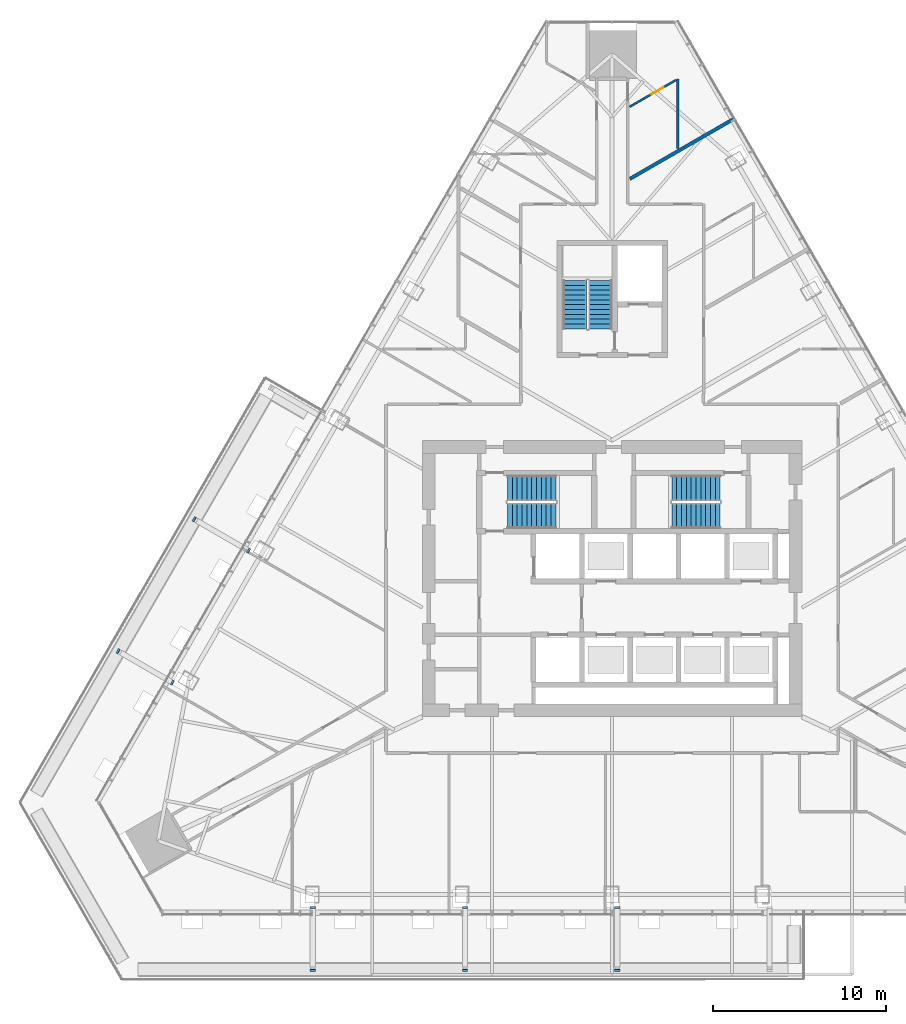
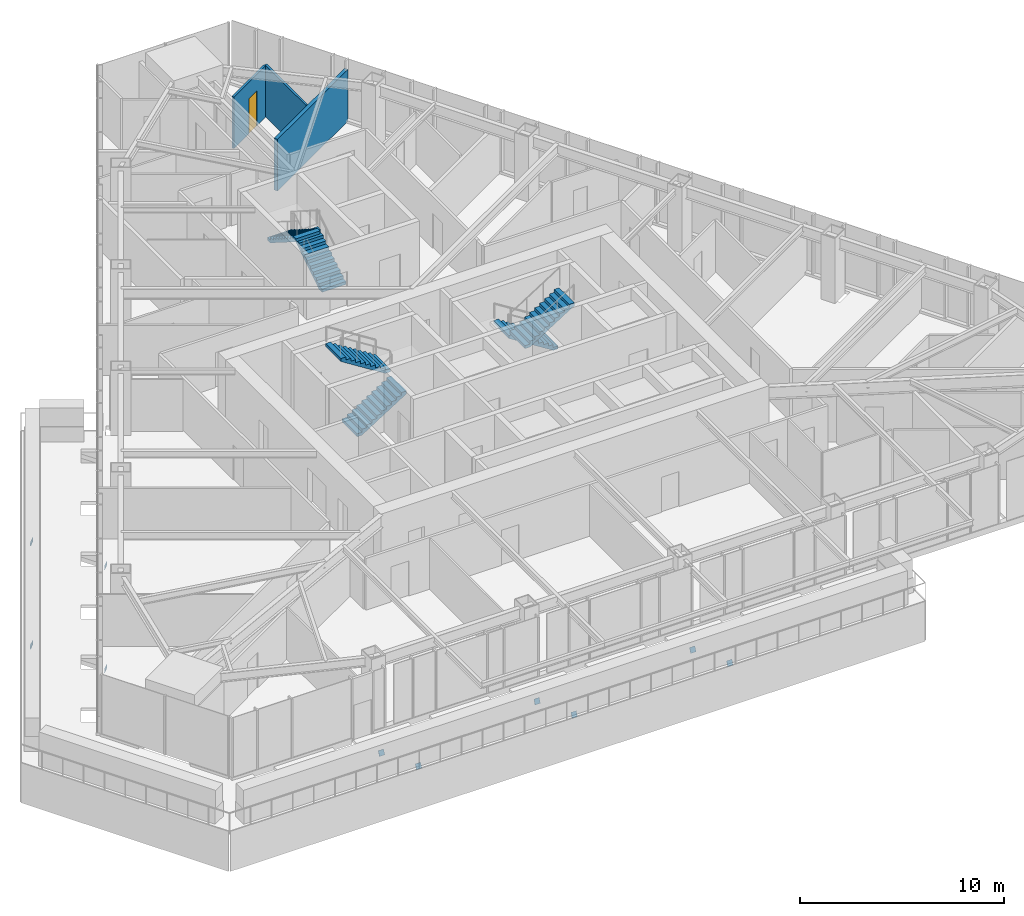
# One storey, part 19 of 23: 10 discrete accessories, 6 stair flights, 3 walls, 1 door, 1 opening, 3 elements without a shape of their own.
"""IFC4 building model written with IfcOpenShell, lengths in metres."""

from ifc_helpers import new_model, si_unit, direction, frame, frame_2d, origin, place, context, subcontext, project, spatial, polyline, rectangle, outline, extrude, material, layer, layer_set, type_object, element, fill, aggregate, save


model = new_model("IFC4")

# Units and contexts
model_context = context("Model", 3, precision=1e-05, world=origin(), true_north=direction((0.0, 1.0)))
body_context = subcontext(model_context, "Body", "Model", "MODEL_VIEW")
ifc_project = project(units=[si_unit("LENGTHUNIT", "METRE"), si_unit("AREAUNIT", "SQUARE_METRE"), si_unit("VOLUMEUNIT", "CUBIC_METRE"), si_unit("PLANEANGLEUNIT", "RADIAN"), si_unit("MASSUNIT", "GRAM", prefix="KILO")], contexts=[model_context])

# Site, building, storey
site_placement = place(None, origin())
site = spatial("IfcSite", under=ifc_project, at=site_placement, CompositionType="ELEMENT")
building_placement = place(site_placement, origin())
building = spatial("IfcBuilding", under=site, at=building_placement, Name="Firuza Gate Tower and Library", CompositionType="ELEMENT")
storey_placement = place(building_placement, frame((0.0, 0.0, 190.89990234375)))
storey = spatial("IfcBuildingStorey", under=building, at=storey_placement, Name="L44", CompositionType="ELEMENT", Elevation=190.89990234375)

# Wall
ifc_material_1 = material(Name="Gypsum board partition")
ifc_layer_1 = layer(ifc_material_1, 0.199951171875)
ifc_layer_set_1 = layer_set([ifc_layer_1], Name="Demising wall 200 acoustic double stud")
wall_type_1 = type_object("IfcWallType", Name="Demising wall 200 acoustic double stud", PredefinedType="PARTITIONING", material=ifc_layer_set_1)
wall_1_placement = place(storey_placement, frame((76.02685546875, 98.159423828125, 0.0), z_axis=(0.0, 0.0, 1.0), x_axis=(0.866026061359, 0.499998861046, 0.0)))
element("IfcWall", 1, at=wall_1_placement, inside=storey, type_object=wall_type_1, Name="f:L44:w026", PredefinedType="PARTITIONING", context=body_context, shape_type="SweptSolid", body=[
    extrude(rectangle(XDim=6.93212890625, YDim=0.199951171875, at=frame_2d((3.466064453125, 0.0))), origin(), (0.0, 0.0, 1.0), 3.10009765625),
])

# Wall, opening, door
ifc_material_2 = material(Name="Gypsum board partition")
ifc_layer_2 = layer(ifc_material_2, 0.1201171875)
ifc_layer_set_2 = layer_set([ifc_layer_2], Name="Wet-area partition 120 moisture-resistant board")
wall_type_2 = type_object("IfcWallType", Name="Wet-area partition 120 moisture-resistant board", PredefinedType="PARTITIONING", material=ifc_layer_set_2)
wall_2_placement = place(storey_placement, frame((78.70556640625, 103.890380859375, 0.0), z_axis=(0.0, 0.0, 1.0), x_axis=(-0.866028856698, -0.499994019331, 0.0)))
wall_2 = element("IfcWall", 2, at=wall_2_placement, inside=storey, type_object=wall_type_2, Name="f:L44:w027", PredefinedType="PARTITIONING", context=body_context, shape_type="SweptSolid", body=[
    extrude(rectangle(XDim=3.11279296875, YDim=0.1201171875, at=frame_2d((1.556396484375, 0.0))), origin(), (0.0, 0.0, 1.0), 3.10009765625),
])
opening_placement = place(wall_2_placement, frame((0.8564453125, 0.0, 0.0)))
opening = element("IfcOpeningElement", 3, at=opening_placement, cuts=wall_2, Name="Opening L44-19", PredefinedType="OPENING", context=body_context, shape_type="SweptSolid", body=[
    extrude(rectangle(XDim=0.800048828125, YDim=2.10009765625, at=frame_2d((0.39990234375, 1.050048828125))), frame((0.0, 0.070068359375, 0.0), z_axis=(0.0, -1.0, 0.0), x_axis=(1.0, 0.0, 0.0)), (0.0, 0.0, 1.0), 0.14013671875),
])
ifc_material_3 = material(Name="Timber door", Category="wood")
door_type = type_object("IfcDoorType", Name="Door 800 x 2100 timber leaf", OperationType="NOTDEFINED", PredefinedType="DOOR", material=ifc_material_3)
door_placement = place(opening_placement, origin())
door = element("IfcDoor", 4, at=door_placement, inside=storey, type_object=door_type, Name="f:L44:d019", OperationType="SINGLE_SWING_LEFT", OverallHeight=2.10009765625, OverallWidth=0.800048828125, PredefinedType="DOOR", context=body_context, shape_type="SweptSolid", body=[
    extrude(rectangle(XDim=0.800048828125, YDim=2.10009765625, at=frame_2d((0.39990234375, 1.050048828125))), frame((0.0, 0.02490234375, 0.0), z_axis=(0.0, -1.0, 0.0), x_axis=(1.0, 0.0, 0.0)), (0.0, 0.0, 1.0), 0.050048828125),
])
fill(opening, door)

# Wall
wall_3_placement = place(storey_placement, frame((78.800048828125, 99.915771484375, 0.0), z_axis=(0.0, 0.0, 1.0), x_axis=(0.0, 1.0, 0.0)))
element("IfcWall", 5, at=wall_3_placement, inside=storey, type_object=wall_type_2, Name="f:L44:w044", PredefinedType="PARTITIONING", context=body_context, shape_type="SweptSolid", body=[
    extrude(rectangle(XDim=4.02978515625, YDim=0.1201171875, at=frame_2d((2.014892578125, 0.0))), origin(), (0.0, 0.0, 1.0), 3.10009765625),
])

# Stair, stair flights
ifc_material_4 = material(Name="Concrete C35/45", Category="concrete")
stair_type_1 = type_object("IfcStairType", Name="Exit stair ST16", PredefinedType="HALF_TURN_STAIR", material=ifc_material_4)
placement = place(storey_placement, origin())
stair_1 = element("IfcStair", 6, at=placement, inside=storey, type_object=stair_type_1, Name="L44 Stair ST3", PredefinedType="HALF_TURN_STAIR")
ifc_material_5 = material(Name="Concrete C35/45", Category="concrete")
stair_flight_type_1 = type_object("IfcStairFlightType", Name="Stair flight 11 risers 177.3 width 1370", PredefinedType="STRAIGHT", material=ifc_material_5)
stair_flight_1_placement = place(storey_placement, frame((74.31494140625, 89.469970703125, 0.0), z_axis=(0.0, 0.0, 1.0), x_axis=(0.0, 1.0, 0.0)))
stair_flight_1 = element("IfcStairFlight", 7, at=stair_flight_1_placement, type_object=stair_flight_type_1, Name="ST3 flight 1", NumberOfRisers=11, NumberOfTreads=10, PredefinedType="STRAIGHT", RiserHeight=0.177272727, TreadLength=0.28, context=body_context, shape_type="SweptSolid", body=[
    extrude(outline(polyline([(0.0, 0.0), (0.0, 0.17724609375), (0.280029296875, 0.17724609375), (0.280029296875, 0.3544921875), (0.56005859375, 0.3544921875), (0.56005859375, 0.53173828125), (0.840087890625, 0.53173828125), (0.840087890625, 0.708984375), (1.1201171875, 0.708984375), (1.1201171875, 0.886474609375), (1.39990234375, 0.886474609375), (1.39990234375, 1.063720703125), (1.679931640625, 1.063720703125), (1.679931640625, 1.240966796875), (1.9599609375, 1.240966796875), (1.9599609375, 1.418212890625), (2.239990234375, 1.418212890625), (2.239990234375, 1.595458984375), (2.52001953125, 1.595458984375), (2.52001953125, 1.772705078125), (2.800048828125, 1.772705078125), (2.800048828125, 1.949951171875), (2.800048828125, 1.59521484375), (0.2802734375, 0.0), (0.0, 0.0)])), frame((0.0, 0.68505859375, 0.0), z_axis=(0.0, -1.0, 0.0), x_axis=(1.0, 0.0, 0.0)), (0.0, 0.0, 1.0), 1.3701171875),
])
stair_flight_2_placement = place(storey_placement, frame((72.844970703125, 92.27001953125, 1.9501953125), z_axis=(0.0, 0.0, 1.0), x_axis=(0.0, -1.0, 0.0)))
stair_flight_2 = element("IfcStairFlight", 8, at=stair_flight_2_placement, type_object=stair_flight_type_1, Name="ST3 flight 2", NumberOfRisers=11, NumberOfTreads=10, PredefinedType="STRAIGHT", RiserHeight=0.177272727, TreadLength=0.28, context=body_context, shape_type="SweptSolid", body=[
    extrude(outline(polyline([(0.0, 0.0), (0.0, 0.17724609375), (0.280029296875, 0.17724609375), (0.280029296875, 0.3544921875), (0.56005859375, 0.3544921875), (0.56005859375, 0.53173828125), (0.840087890625, 0.53173828125), (0.840087890625, 0.708984375), (1.1201171875, 0.708984375), (1.1201171875, 0.886474609375), (1.39990234375, 0.886474609375), (1.39990234375, 1.063720703125), (1.679931640625, 1.063720703125), (1.679931640625, 1.240966796875), (1.9599609375, 1.240966796875), (1.9599609375, 1.418212890625), (2.239990234375, 1.418212890625), (2.239990234375, 1.595458984375), (2.52001953125, 1.595458984375), (2.52001953125, 1.772705078125), (2.800048828125, 1.772705078125), (2.800048828125, 1.949951171875), (2.800048828125, 1.59521484375), (0.2802734375, 0.0), (0.0, 0.0)])), frame((0.0, 0.68505859375, 0.0), z_axis=(0.0, -1.0, 0.0), x_axis=(1.0, 0.0, 0.0)), (0.0, 0.0, 1.0), 1.3701171875),
])
aggregate(stair_1, [stair_flight_1, stair_flight_2])

ifc_material_6 = material(Name="Concrete C35/45", Category="concrete")
stair_type_2 = type_object("IfcStairType", Name="Exit stair ST7", PredefinedType="HALF_TURN_STAIR", material=ifc_material_6)
stair_2 = element("IfcStair", 9, at=placement, inside=storey, type_object=stair_type_2, Name="L44 Stair ST1", PredefinedType="HALF_TURN_STAIR")
ifc_material_7 = material(Name="Concrete C35/45", Category="concrete")
stair_flight_type_2 = type_object("IfcStairFlightType", Name="Stair flight 11 risers 177.3 width 1490", PredefinedType="STRAIGHT", material=ifc_material_7)
stair_flight_3_placement = place(storey_placement, frame((68.93994140625, 78.64501953125, 0.0), z_axis=(0.0, 0.0, 1.0), x_axis=(1.0, 0.0, 0.0)))
stair_flight_3 = element("IfcStairFlight", 10, at=stair_flight_3_placement, type_object=stair_flight_type_2, Name="ST1 flight 1", NumberOfRisers=11, NumberOfTreads=10, PredefinedType="STRAIGHT", RiserHeight=0.177272727, TreadLength=0.28, context=body_context, shape_type="SweptSolid", body=[
    extrude(outline(polyline([(0.0, 0.0), (0.0, 0.17724609375), (0.280029296875, 0.17724609375), (0.280029296875, 0.3544921875), (0.56005859375, 0.3544921875), (0.56005859375, 0.53173828125), (0.840087890625, 0.53173828125), (0.840087890625, 0.708984375), (1.1201171875, 0.708984375), (1.1201171875, 0.886474609375), (1.39990234375, 0.886474609375), (1.39990234375, 1.063720703125), (1.679931640625, 1.063720703125), (1.679931640625, 1.240966796875), (1.9599609375, 1.240966796875), (1.9599609375, 1.418212890625), (2.239990234375, 1.418212890625), (2.239990234375, 1.595458984375), (2.52001953125, 1.595458984375), (2.52001953125, 1.772705078125), (2.800048828125, 1.772705078125), (2.800048828125, 1.949951171875), (2.800048828125, 1.59521484375), (0.2802734375, 0.0), (0.0, 0.0)])), frame((0.0, 0.7451171875, 0.0), z_axis=(0.0, -1.0, 0.0), x_axis=(1.0, 0.0, 0.0)), (0.0, 0.0, 1.0), 1.489990234375),
])
stair_flight_4_placement = place(storey_placement, frame((71.739990234375, 80.235107421875, 1.9501953125), z_axis=(0.0, 0.0, 1.0), x_axis=(-1.0, 0.0, 0.0)))
stair_flight_4 = element("IfcStairFlight", 11, at=stair_flight_4_placement, type_object=stair_flight_type_2, Name="ST1 flight 2", NumberOfRisers=11, NumberOfTreads=10, PredefinedType="STRAIGHT", RiserHeight=0.177272727, TreadLength=0.28, context=body_context, shape_type="SweptSolid", body=[
    extrude(outline(polyline([(0.0, 0.0), (0.0, 0.17724609375), (0.280029296875, 0.17724609375), (0.280029296875, 0.3544921875), (0.56005859375, 0.3544921875), (0.56005859375, 0.53173828125), (0.840087890625, 0.53173828125), (0.840087890625, 0.708984375), (1.1201171875, 0.708984375), (1.1201171875, 0.886474609375), (1.39990234375, 0.886474609375), (1.39990234375, 1.063720703125), (1.679931640625, 1.063720703125), (1.679931640625, 1.240966796875), (1.9599609375, 1.240966796875), (1.9599609375, 1.418212890625), (2.239990234375, 1.418212890625), (2.239990234375, 1.595458984375), (2.52001953125, 1.595458984375), (2.52001953125, 1.772705078125), (2.800048828125, 1.772705078125), (2.800048828125, 1.949951171875), (2.800048828125, 1.59521484375), (0.2802734375, 0.0), (0.0, 0.0)])), frame((0.0, 0.7451171875, 0.0), z_axis=(0.0, -1.0, 0.0), x_axis=(1.0, 0.0, 0.0)), (0.0, 0.0, 1.0), 1.489990234375),
])
aggregate(stair_2, [stair_flight_3, stair_flight_4])

stair_3 = element("IfcStair", 12, at=placement, inside=storey, type_object=stair_type_2, Name="L44 Stair ST2", PredefinedType="HALF_TURN_STAIR")
stair_flight_5_placement = place(storey_placement, frame((81.260009765625, 80.235107421875, 0.0), z_axis=(0.0, 0.0, 1.0), x_axis=(-1.0, 0.0, 0.0)))
stair_flight_5 = element("IfcStairFlight", 13, at=stair_flight_5_placement, type_object=stair_flight_type_2, Name="ST2 flight 1", NumberOfRisers=11, NumberOfTreads=10, PredefinedType="STRAIGHT", RiserHeight=0.177272727, TreadLength=0.28, context=body_context, shape_type="SweptSolid", body=[
    extrude(outline(polyline([(0.0, 0.0), (0.0, 0.17724609375), (0.280029296875, 0.17724609375), (0.280029296875, 0.3544921875), (0.56005859375, 0.3544921875), (0.56005859375, 0.53173828125), (0.840087890625, 0.53173828125), (0.840087890625, 0.708984375), (1.1201171875, 0.708984375), (1.1201171875, 0.886474609375), (1.39990234375, 0.886474609375), (1.39990234375, 1.063720703125), (1.679931640625, 1.063720703125), (1.679931640625, 1.240966796875), (1.9599609375, 1.240966796875), (1.9599609375, 1.418212890625), (2.239990234375, 1.418212890625), (2.239990234375, 1.595458984375), (2.52001953125, 1.595458984375), (2.52001953125, 1.772705078125), (2.800048828125, 1.772705078125), (2.800048828125, 1.949951171875), (2.800048828125, 1.59521484375), (0.2802734375, 0.0), (0.0, 0.0)])), frame((0.0, 0.7451171875, 0.0), z_axis=(0.0, -1.0, 0.0), x_axis=(1.0, 0.0, 0.0)), (0.0, 0.0, 1.0), 1.489990234375),
])
stair_flight_6_placement = place(storey_placement, frame((78.4599609375, 78.64501953125, 1.9501953125), z_axis=(0.0, 0.0, 1.0), x_axis=(1.0, 0.0, 0.0)))
stair_flight_6 = element("IfcStairFlight", 14, at=stair_flight_6_placement, type_object=stair_flight_type_2, Name="ST2 flight 2", NumberOfRisers=11, NumberOfTreads=10, PredefinedType="STRAIGHT", RiserHeight=0.177272727, TreadLength=0.28, context=body_context, shape_type="SweptSolid", body=[
    extrude(outline(polyline([(0.0, 0.0), (0.0, 0.17724609375), (0.280029296875, 0.17724609375), (0.280029296875, 0.3544921875), (0.56005859375, 0.3544921875), (0.56005859375, 0.53173828125), (0.840087890625, 0.53173828125), (0.840087890625, 0.708984375), (1.1201171875, 0.708984375), (1.1201171875, 0.886474609375), (1.39990234375, 0.886474609375), (1.39990234375, 1.063720703125), (1.679931640625, 1.063720703125), (1.679931640625, 1.240966796875), (1.9599609375, 1.240966796875), (1.9599609375, 1.418212890625), (2.239990234375, 1.418212890625), (2.239990234375, 1.595458984375), (2.52001953125, 1.595458984375), (2.52001953125, 1.772705078125), (2.800048828125, 1.772705078125), (2.800048828125, 1.949951171875), (2.800048828125, 1.59521484375), (0.2802734375, 0.0), (0.0, 0.0)])), frame((0.0, 0.7451171875, 0.0), z_axis=(0.0, -1.0, 0.0), x_axis=(1.0, 0.0, 0.0)), (0.0, 0.0, 1.0), 1.489990234375),
])
aggregate(stair_3, [stair_flight_5, stair_flight_6])

# Discrete accessories
ifc_material_8 = material(Name="Steel S355", Category="steel")
ifc_layer_3 = layer(ifc_material_8, 0.02001953125)
ifc_layer_set_3 = layer_set([ifc_layer_3], Name="Strut seat plate 304x304x20 Steel S355")
discrete_accessory_type = type_object("IfcDiscreteAccessoryType", Name="Strut seat plate 304x304x20 Steel S355", PredefinedType="BRACKET", material=ifc_layer_set_3)
discrete_accessory_1_placement = place(storey_placement, frame((57.80419921875, 55.99853515625, -1.535400390625), z_axis=(0.0, -0.931869039224, 0.362794836976), x_axis=(-1.0, 0.0, 0.0)))
element("IfcDiscreteAccessory", 15, at=discrete_accessory_1_placement, inside=storey, type_object=discrete_accessory_type, Name="Strut seat plate L44 col:L43:S1", PredefinedType="BRACKET", context=body_context, shape_type="SweptSolid", body=[
    extrude(outline(polyline([(0.0, 0.0), (0.303955078125, 0.0), (0.303955078125, 0.30417070821576603), (0.0, 0.30417070821576603), (0.0, 0.0)])), origin(), (0.0, 0.0, -1.0), 0.02001953125),
])
discrete_accessory_2_placement = place(storey_placement, frame((57.500244140625, 52.361083984375, -0.12109375), z_axis=(0.0, -0.932034825678, 0.362368712397), x_axis=(1.0, 0.0, 0.0)))
element("IfcDiscreteAccessory", 16, at=discrete_accessory_2_placement, inside=storey, type_object=discrete_accessory_type, Name="Strut seat plate L44 col:L43:S1", PredefinedType="BRACKET", context=body_context, shape_type="SweptSolid", body=[
    extrude(outline(polyline([(0.0, 0.0), (0.303955078125, 0.0), (0.303955078125, -0.30385465993090327), (0.0, -0.30385465993090327), (0.0, 0.0)])), origin(), (0.0, 0.0, -1.0), 0.02001953125),
])
discrete_accessory_3_placement = place(storey_placement, frame((66.628173828125, 55.99853515625, -1.535400390625), z_axis=(0.0, -0.931869039224, 0.362794836976), x_axis=(-1.0, 0.0, 0.0)))
element("IfcDiscreteAccessory", 17, at=discrete_accessory_3_placement, inside=storey, type_object=discrete_accessory_type, Name="Strut seat plate L44 col:L43:S2", PredefinedType="BRACKET", context=body_context, shape_type="SweptSolid", body=[
    extrude(outline(polyline([(0.0, 0.0), (0.303955078125, 0.0), (0.303955078125, 0.30417070821576603), (0.0, 0.30417070821576603), (0.0, 0.0)])), origin(), (0.0, 0.0, -1.0), 0.02001953125),
])
discrete_accessory_4_placement = place(storey_placement, frame((66.32421875, 52.361083984375, -0.12109375), z_axis=(0.0, -0.932034825678, 0.362368712397), x_axis=(1.0, 0.0, 0.0)))
element("IfcDiscreteAccessory", 18, at=discrete_accessory_4_placement, inside=storey, type_object=discrete_accessory_type, Name="Strut seat plate L44 col:L43:S2", PredefinedType="BRACKET", context=body_context, shape_type="SweptSolid", body=[
    extrude(outline(polyline([(0.0, 0.0), (0.303955078125, 0.0), (0.303955078125, -0.30385465993090327), (0.0, -0.30385465993090327), (0.0, 0.0)])), origin(), (0.0, 0.0, -1.0), 0.02001953125),
])
discrete_accessory_5_placement = place(storey_placement, frame((75.451904296875, 55.99853515625, -1.535400390625), z_axis=(0.0, -0.931869039224, 0.362794836976), x_axis=(-1.0, 0.0, 0.0)))
element("IfcDiscreteAccessory", 19, at=discrete_accessory_5_placement, inside=storey, type_object=discrete_accessory_type, Name="Strut seat plate L44 col:L43:S3", PredefinedType="BRACKET", context=body_context, shape_type="SweptSolid", body=[
    extrude(outline(polyline([(0.0, 0.0), (0.303955078125, 0.0), (0.303955078125, 0.30417070821576603), (0.0, 0.30417070821576603), (0.0, 0.0)])), origin(), (0.0, 0.0, -1.0), 0.02001953125),
])
discrete_accessory_6_placement = place(storey_placement, frame((75.14794921875, 52.361083984375, -0.12109375), z_axis=(0.0, -0.932034825678, 0.362368712397), x_axis=(1.0, 0.0, 0.0)))
element("IfcDiscreteAccessory", 20, at=discrete_accessory_6_placement, inside=storey, type_object=discrete_accessory_type, Name="Strut seat plate L44 col:L43:S3", PredefinedType="BRACKET", context=body_context, shape_type="SweptSolid", body=[
    extrude(outline(polyline([(0.0, 0.0), (0.303955078125, 0.0), (0.303955078125, -0.30385465993090327), (0.0, -0.30385465993090327), (0.0, 0.0)])), origin(), (0.0, 0.0, -1.0), 0.02001953125),
])
discrete_accessory_7_placement = place(storey_placement, frame((53.90625, 76.4677734375, -1.535400390625), z_axis=(-0.807065000242, 0.466204446129, 0.362352728421), x_axis=(0.500220173323, 0.865898246677, 6.7839443e-05)))
element("IfcDiscreteAccessory", 21, at=discrete_accessory_7_placement, inside=storey, type_object=discrete_accessory_type, Name="Strut seat plate L44 col:L43:W4", PredefinedType="BRACKET", context=body_context, shape_type="SweptSolid", body=[
    extrude(outline(polyline([(0.0, 0.0), (0.30397350534623263, 1.3877787807814457e-17), (0.3039803789758316, 0.30413670222250444), (-0.00020452730953123105, 0.30409243686716886), (0.0, 0.0)])), origin(), (0.0, 0.0, -1.0), 0.02001953125),
])
discrete_accessory_8_placement = place(storey_placement, frame((50.908203125, 78.549560546875, -0.12109375), z_axis=(-0.807297615918, 0.465590280112, 0.362624117232), x_axis=(-0.499617830402, -0.866245934446, -6.7828057e-05)))
element("IfcDiscreteAccessory", 22, at=discrete_accessory_8_placement, inside=storey, type_object=discrete_accessory_type, Name="Strut seat plate L44 col:L43:W4", PredefinedType="BRACKET", context=body_context, shape_type="SweptSolid", body=[
    extrude(outline(polyline([(0.0, 0.0), (0.30385141793030745, -6.938893903907228e-18), (0.303979327350139, -0.30386492600893855), (-8.357640400764226e-05, -0.30390917118279887), (0.0, 0.0)])), origin(), (0.0, 0.0, -1.0), 0.02001953125),
])
discrete_accessory_9_placement = place(storey_placement, frame((49.494384765625, 68.825927734375, -1.535400390625), z_axis=(-0.807389027558, 0.465642999667, 0.362352804651), x_axis=(0.499572155029, 0.866272276673, -6.7737836e-05)))
element("IfcDiscreteAccessory", 23, at=discrete_accessory_9_placement, inside=storey, type_object=discrete_accessory_type, Name="Strut seat plate L44 col:L43:W5", PredefinedType="BRACKET", context=body_context, shape_type="SweptSolid", body=[
    extrude(outline(polyline([(0.0, 0.0), (0.3040629069720726, 0.0), (0.3039792139210128, 0.30409249414364486), (0.0001277992039872251, 0.3041366754621787), (0.0, 0.0)])), origin(), (0.0, 0.0, -1.0), 0.02001953125),
])
discrete_accessory_10_placement = place(storey_placement, frame((46.496337890625, 70.907958984375, -0.12109375), z_axis=(-0.807237427615, 0.465929808707, 0.362321885644), x_axis=(-0.499912951067, -0.866075654255, -4.9626419e-05)))
element("IfcDiscreteAccessory", 24, at=discrete_accessory_10_placement, inside=storey, type_object=discrete_accessory_type, Name="Strut seat plate L44 col:L43:W5", PredefinedType="BRACKET", context=body_context, shape_type="SweptSolid", body=[
    extrude(outline(polyline([(0.0, 0.0), (0.30418491197645486, 6.938893903907228e-18), (0.3040116990127035, -0.30383253870852944), (0.00016028034809466003, -0.30386491311730407), (0.0, 0.0)])), origin(), (0.0, 0.0, -1.0), 0.02001953125),
])

save(model, "model.ifc")
